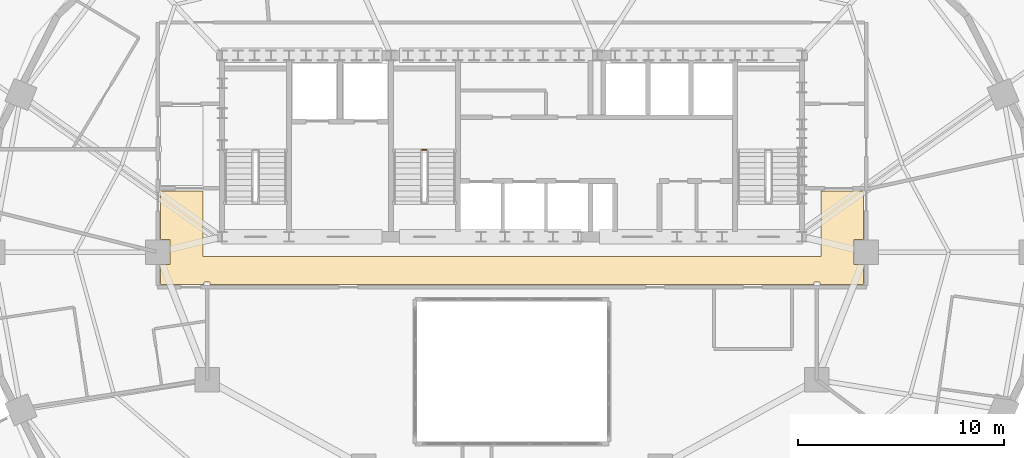
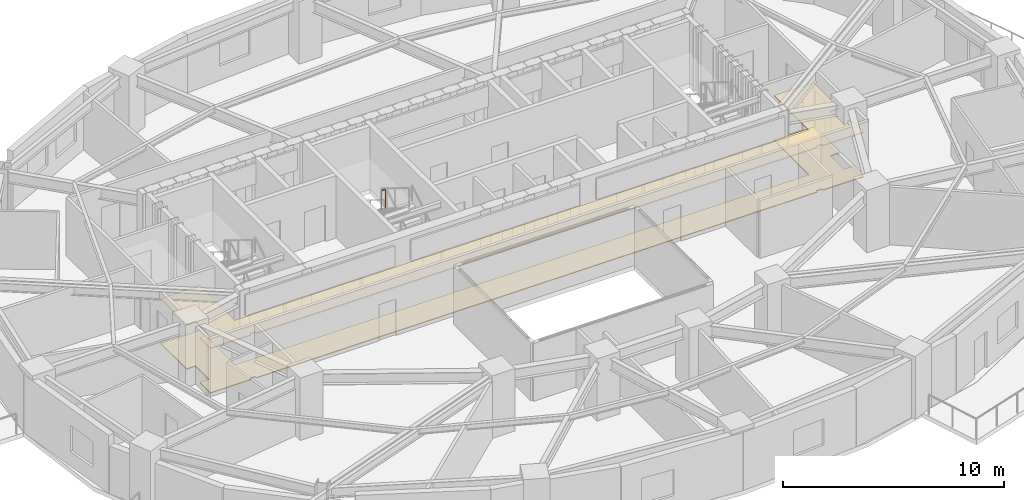
# One storey, part 11 of 12: 2 coverings, 1 railing.
"""IFC4 building model written with IfcOpenShell, lengths in metres."""

from ifc_helpers import new_model, si_unit, direction, frame, origin, origin_2d, place, context, subcontext, project, spatial, polyline, rectangle, outline, extrude, material, layer, layer_set, type_object, element, save


model = new_model("IFC4")

# Units and contexts
model_context = context("Model", 3, precision=1e-05, world=origin(), true_north=direction((0.0, 1.0)))
body_context = subcontext(model_context, "Body", "Model", "MODEL_VIEW")
ifc_project = project(units=[si_unit("LENGTHUNIT", "METRE"), si_unit("AREAUNIT", "SQUARE_METRE"), si_unit("VOLUMEUNIT", "CUBIC_METRE"), si_unit("PLANEANGLEUNIT", "RADIAN"), si_unit("MASSUNIT", "GRAM", prefix="KILO")], contexts=[model_context])

# Site, building, storey
site_placement = place(None, origin())
site = spatial("IfcSite", under=ifc_project, at=site_placement, CompositionType="ELEMENT")
building_placement = place(site_placement, origin())
building = spatial("IfcBuilding", under=site, at=building_placement, Name="Haldorwick Loom Tower", CompositionType="ELEMENT")
storey_placement = place(building_placement, frame((0.0, 0.0, 157.89990234375)))
storey = spatial("IfcBuildingStorey", under=building, at=storey_placement, Name="L42", CompositionType="ELEMENT", Elevation=157.89990234375)

# Coverings
ifc_material_1 = material(Name="Mineral Fibre Acoustic Ceiling Tile")
ifc_layer_1 = layer(ifc_material_1, 0.054931640625, Name="Mineral Fibre Acoustic Ceiling Tile")
ifc_layer_set_1 = layer_set([ifc_layer_1], Name="Mineral Fibre Acoustic Ceiling Tile")
covering_type_1 = type_object("IfcCoveringType", Name="ARC-COV-CEIL2", PredefinedType="CEILING", material=ifc_layer_set_1)
covering_1_placement = place(storey_placement, frame((0.0, 0.0, 2.4580078125)))
element("IfcCovering", 1, at=covering_1_placement, inside=storey, type_object=covering_type_1, Name="L42 Acoustic Suspended Ceiling 1", PredefinedType="CEILING", context=body_context, shape_type="SweptSolid", body=[
    extrude(outline(polyline([(51.0, 28.9599609375), (51.0, 25.800048828125), (21.0, 25.800048828125), (21.0, 28.9599609375), (18.93994140625, 28.9599609375), (18.93994140625, 26.60791015625), (19.407958984375, 26.60791015625), (19.407958984375, 25.39208984375), (18.93994140625, 25.39208984375), (18.93994140625, 24.43994140625), (21.06005859375, 24.43994140625), (21.06005859375, 24.52001953125), (21.06005859375, 24.52197265625), (21.060302734375, 24.52392578125), (21.060791015625, 24.52587890625), (21.0615234375, 24.527587890625), (21.0625, 24.529296875), (21.0634765625, 24.531005859375), (21.064453125, 24.53271484375), (21.06591796875, 24.5341796875), (21.0673828125, 24.535400390625), (21.06884765625, 24.53662109375), (21.070556640625, 24.53759765625), (21.072265625, 24.53857421875), (21.07421875, 24.5390625), (21.076171875, 24.53955078125), (21.077880859375, 24.539794921875), (21.080078125, 24.5400390625), (21.320068359375, 24.5400390625), (21.322021484375, 24.539794921875), (21.323974609375, 24.53955078125), (21.32568359375, 24.5390625), (21.32763671875, 24.53857421875), (21.329345703125, 24.53759765625), (21.3310546875, 24.53662109375), (21.332763671875, 24.535400390625), (21.333984375, 24.5341796875), (21.33544921875, 24.53271484375), (21.336669921875, 24.531005859375), (21.337646484375, 24.529296875), (21.33837890625, 24.527587890625), (21.339111328125, 24.52587890625), (21.339599609375, 24.52392578125), (21.33984375, 24.52197265625), (21.340087890625, 24.52001953125), (21.340087890625, 24.43994140625), (50.659912109375, 24.43994140625), (50.659912109375, 24.52001953125), (50.66015625, 24.52197265625), (50.660400390625, 24.52392578125), (50.660888671875, 24.52587890625), (50.66162109375, 24.527587890625), (50.662353515625, 24.529296875), (50.663330078125, 24.531005859375), (50.66455078125, 24.53271484375), (50.666015625, 24.5341796875), (50.667236328125, 24.535400390625), (50.6689453125, 24.53662109375), (50.670654296875, 24.53759765625), (50.67236328125, 24.53857421875), (50.67431640625, 24.5390625), (50.676025390625, 24.53955078125), (50.677978515625, 24.539794921875), (50.679931640625, 24.5400390625), (50.919921875, 24.5400390625), (50.922119140625, 24.539794921875), (50.923828125, 24.53955078125), (50.92578125, 24.5390625), (50.927734375, 24.53857421875), (50.929443359375, 24.53759765625), (50.93115234375, 24.53662109375), (50.9326171875, 24.535400390625), (50.93408203125, 24.5341796875), (50.935546875, 24.53271484375), (50.9365234375, 24.531005859375), (50.9375, 24.529296875), (50.9384765625, 24.527587890625), (50.939208984375, 24.52587890625), (50.939697265625, 24.52392578125), (50.93994140625, 24.52197265625), (50.93994140625, 24.52001953125), (50.93994140625, 24.43994140625), (53.06005859375, 24.43994140625), (53.06005859375, 25.39208984375), (52.592041015625, 25.39208984375), (52.592041015625, 26.60791015625), (53.06005859375, 26.60791015625), (53.06005859375, 28.9599609375), (51.0, 28.9599609375)])), origin(), (0.0, 0.0, 1.0), 0.05517578125),
])
ifc_material_2 = material(Name="Polished Aggregate Terrazzo Finish")
ifc_layer_2 = layer(ifc_material_2, 0.044921875, Name="Polished Aggregate Terrazzo Finish")
ifc_layer_set_2 = layer_set([ifc_layer_2], Name="Polished Aggregate Terrazzo Finish")
covering_type_2 = type_object("IfcCoveringType", Name="ARC-COV-FLOOR2", PredefinedType="FLOORING", material=ifc_layer_set_2)
covering_2_placement = place(storey_placement, origin())
element("IfcCovering", 2, at=covering_2_placement, inside=storey, type_object=covering_type_2, Name="L42 Floor Finish 1", PredefinedType="FLOORING", context=body_context, shape_type="SweptSolid", body=[
    extrude(outline(polyline([(51.0, 28.9599609375), (51.0, 25.800048828125), (21.0, 25.800048828125), (21.0, 28.9599609375), (18.93994140625, 28.9599609375), (18.93994140625, 26.60791015625), (19.407958984375, 26.60791015625), (19.407958984375, 25.39208984375), (18.93994140625, 25.39208984375), (18.93994140625, 24.43994140625), (21.06005859375, 24.43994140625), (21.06005859375, 24.52001953125), (21.06005859375, 24.52197265625), (21.060302734375, 24.52392578125), (21.060791015625, 24.52587890625), (21.0615234375, 24.527587890625), (21.0625, 24.529296875), (21.0634765625, 24.531005859375), (21.064453125, 24.53271484375), (21.06591796875, 24.5341796875), (21.0673828125, 24.535400390625), (21.06884765625, 24.53662109375), (21.070556640625, 24.53759765625), (21.072265625, 24.53857421875), (21.07421875, 24.5390625), (21.076171875, 24.53955078125), (21.077880859375, 24.539794921875), (21.080078125, 24.5400390625), (21.320068359375, 24.5400390625), (21.322021484375, 24.539794921875), (21.323974609375, 24.53955078125), (21.32568359375, 24.5390625), (21.32763671875, 24.53857421875), (21.329345703125, 24.53759765625), (21.3310546875, 24.53662109375), (21.332763671875, 24.535400390625), (21.333984375, 24.5341796875), (21.33544921875, 24.53271484375), (21.336669921875, 24.531005859375), (21.337646484375, 24.529296875), (21.33837890625, 24.527587890625), (21.339111328125, 24.52587890625), (21.339599609375, 24.52392578125), (21.33984375, 24.52197265625), (21.340087890625, 24.52001953125), (21.340087890625, 24.43994140625), (50.659912109375, 24.43994140625), (50.659912109375, 24.52001953125), (50.66015625, 24.52197265625), (50.660400390625, 24.52392578125), (50.660888671875, 24.52587890625), (50.66162109375, 24.527587890625), (50.662353515625, 24.529296875), (50.663330078125, 24.531005859375), (50.66455078125, 24.53271484375), (50.666015625, 24.5341796875), (50.667236328125, 24.535400390625), (50.6689453125, 24.53662109375), (50.670654296875, 24.53759765625), (50.67236328125, 24.53857421875), (50.67431640625, 24.5390625), (50.676025390625, 24.53955078125), (50.677978515625, 24.539794921875), (50.679931640625, 24.5400390625), (50.919921875, 24.5400390625), (50.922119140625, 24.539794921875), (50.923828125, 24.53955078125), (50.92578125, 24.5390625), (50.927734375, 24.53857421875), (50.929443359375, 24.53759765625), (50.93115234375, 24.53662109375), (50.9326171875, 24.535400390625), (50.93408203125, 24.5341796875), (50.935546875, 24.53271484375), (50.9365234375, 24.531005859375), (50.9375, 24.529296875), (50.9384765625, 24.527587890625), (50.939208984375, 24.52587890625), (50.939697265625, 24.52392578125), (50.93994140625, 24.52197265625), (50.93994140625, 24.52001953125), (50.93994140625, 24.43994140625), (53.06005859375, 24.43994140625), (53.06005859375, 25.39208984375), (52.592041015625, 25.39208984375), (52.592041015625, 26.60791015625), (53.06005859375, 26.60791015625), (53.06005859375, 28.9599609375), (51.0, 28.9599609375)])), origin(), (0.0, 0.0, 1.0), 0.045166015625),
])

# Railing
ifc_material_3 = material(Name="Steel CSA G40.21 350W", Category="steel")
railing_type = type_object("IfcRailingType", Name="ARC-RLG-GUARD112", PredefinedType="GUARDRAIL", material=ifc_material_3)
railing_placement = place(storey_placement, frame((31.85009765625, 30.969970703125, 1.72509765625)))
element("IfcRailing", 3, at=railing_placement, inside=storey, type_object=railing_type, Name="L42 ST-03 stair guard 2", PredefinedType="GUARDRAIL", context=body_context, shape_type="SweptSolid", body=[
    extrude(rectangle(XDim=0.048095703125, YDim=0.048095703125, at=origin_2d()), frame((0.0, 0.0, 1.076171875), z_axis=(-1.0, 0.0, 0.0), x_axis=(0.0, -1.0, 0.0)), (0.0, 0.0, 1.0), 0.2001953125),
    extrude(rectangle(XDim=0.0419921875, YDim=0.0419921875, at=origin_2d()), origin(), (0.0, 0.0, 1.0), 1.052001953125),
    extrude(rectangle(XDim=0.0419921875, YDim=0.0419921875, at=origin_2d()), frame((-0.2001953125, 0.0, 0.0)), (0.0, 0.0, 1.0), 1.052001953125),
])

save(model, "model.ifc")
